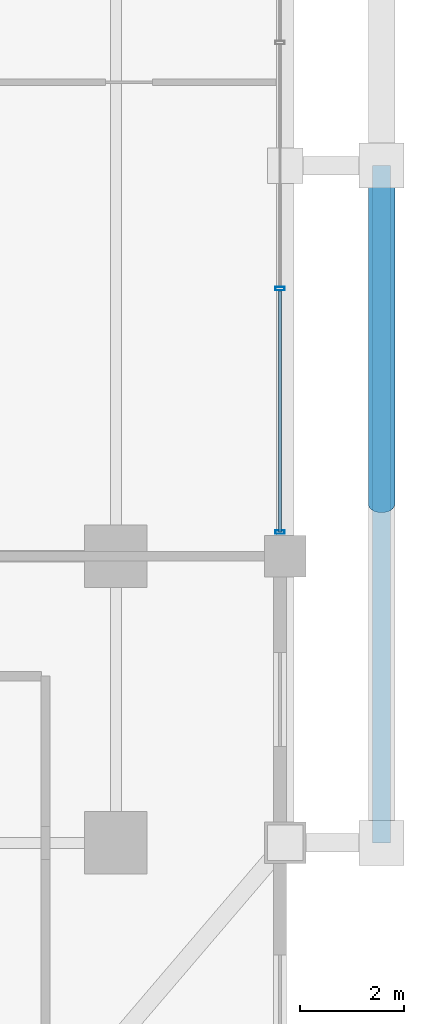
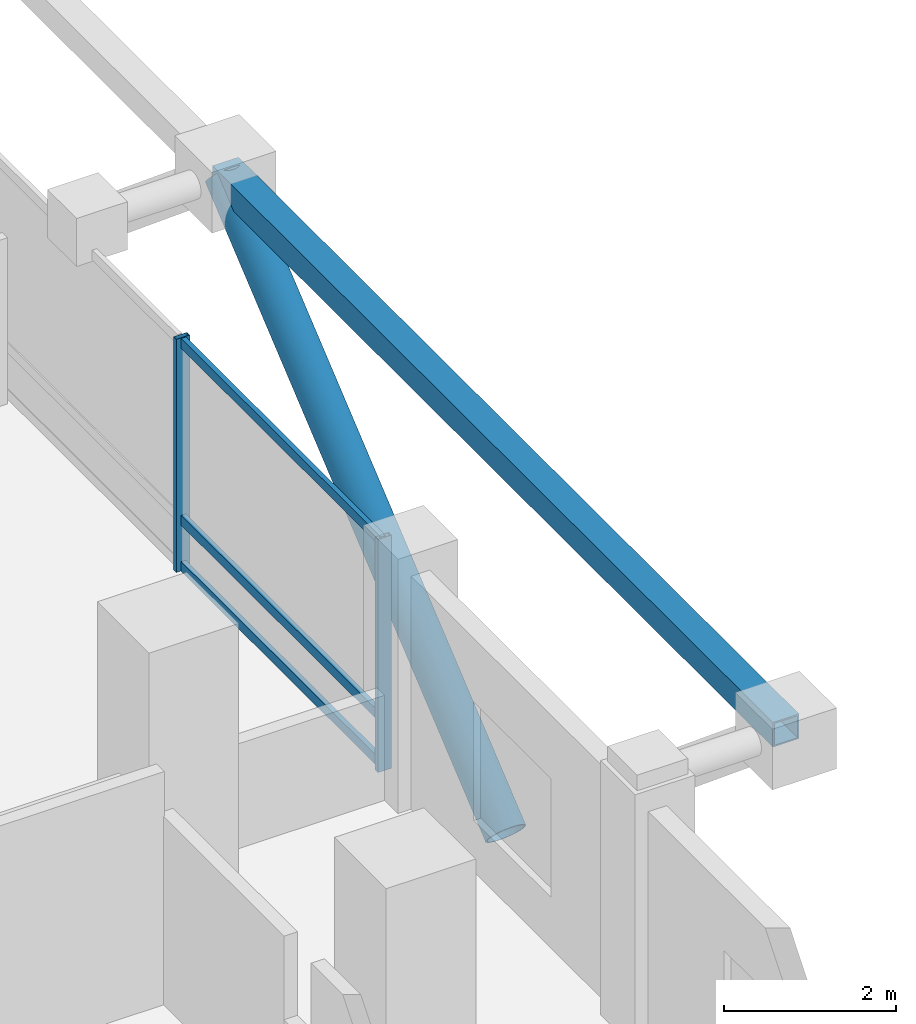
# One storey, part 9 of 25: 7 members, 1 element without a shape of its own.
"""IFC4 building model written with IfcOpenShell, lengths in metres."""

from ifc_helpers import new_model, si_unit, direction, frame, origin, origin_2d, place, context, subcontext, project, spatial, hollow_rectangle, hollow_circle, extrude, material, layer, layer_set, material_profile, profile_set, type_object, element, aggregate, save


model = new_model("IFC4")

# Units and contexts
model_context = context("Model", 3, precision=1e-05, world=origin(), true_north=direction((0.0, 1.0)))
body_context = subcontext(model_context, "Body", "Model", "MODEL_VIEW")
ifc_project = project(units=[si_unit("LENGTHUNIT", "METRE"), si_unit("AREAUNIT", "SQUARE_METRE"), si_unit("VOLUMEUNIT", "CUBIC_METRE"), si_unit("PLANEANGLEUNIT", "RADIAN"), si_unit("MASSUNIT", "GRAM", prefix="KILO")], contexts=[model_context])

# Site, building, storey
site_placement = place(None, origin())
site = spatial("IfcSite", under=ifc_project, at=site_placement, CompositionType="ELEMENT")
building_placement = place(site_placement, origin())
building = spatial("IfcBuilding", under=site, at=building_placement, Name="Barlavira Tower and Art Museum", CompositionType="ELEMENT")
storey_placement = place(building_placement, frame((0.0, 0.0, 162.0)))
storey = spatial("IfcBuildingStorey", under=building, at=storey_placement, Name="L41", CompositionType="ELEMENT", Elevation=162.0)

# Curtain wall, members
ifc_material_1 = material(Name="Low-iron coastal laminated glass", Category="glass")
ifc_layer = layer(ifc_material_1, 0.18994140625, Name="Low-iron coastal laminated glass")
ifc_layer_set = layer_set([ifc_layer], Name="Low-iron coastal laminated glass")
curtain_wall_type = type_object("IfcCurtainWallType", Name="Pale-Metal Unitised Curtain Wall Zone 2", PredefinedType="NOTDEFINED", material=ifc_layer_set)
curtain_wall_placement = place(storey_placement, origin())
curtain_wall = element("IfcCurtainWall", 1, at=curtain_wall_placement, inside=storey, type_object=curtain_wall_type, Name="L41 Curtain Wall CW2-L41-E-B3", PredefinedType="NOTDEFINED")
ifc_material_2 = material(Name="Pale anodised aluminium", Category="aluminium")
ifc_material_profile_1 = material_profile(ifc_material_2, hollow_rectangle(XDim=0.06494140625, YDim=0.179931640625, WallThickness=0.00390625, at=origin_2d()), Name="ALU-MULL 65x180x4")
ifc_profile_set_1 = profile_set([ifc_material_profile_1], Name="Pale anodised aluminium")
member_type_1 = type_object("IfcMemberType", Name="Curtain Wall Pale-Metal Mullion 65x180", PredefinedType="MULLION", material=ifc_profile_set_1)
member_1_placement = place(storey_placement, frame((20.14990234375, -7.034912109375, 0.0), z_axis=(0.0, 0.0, 1.0), x_axis=(0.0, 1.0, 0.0)))
member_1 = element("IfcMember", 2, at=member_1_placement, type_object=member_type_1, Name="CW2-L41-E-B3 Mullion 0", PredefinedType="MULLION", context=body_context, shape_type="SweptSolid", body=[
    extrude(hollow_rectangle(XDim=0.06494140625, YDim=0.179931640625, WallThickness=0.00390625, at=origin_2d()), origin(), (0.0, 0.0, 1.0), 3.300048828125),
])
member_2_placement = place(storey_placement, frame((20.14990234375, -2.360107421875, 0.0), z_axis=(0.0, 0.0, 1.0), x_axis=(0.0, 1.0, 0.0)))
member_2 = element("IfcMember", 3, at=member_2_placement, type_object=member_type_1, Name="CW2-L41-E-B3 Mullion 1", PredefinedType="MULLION", context=body_context, shape_type="SweptSolid", body=[
    extrude(hollow_rectangle(XDim=0.06494140625, YDim=0.179931640625, WallThickness=0.00390625, at=origin_2d()), origin(), (0.0, 0.0, 1.0), 3.300048828125),
])
ifc_material_profile_2 = material_profile(ifc_material_2, hollow_rectangle(XDim=0.06494140625, YDim=0.139892578125, WallThickness=0.00390625, at=origin_2d()), Name="ALU-TRAN 65x140x4")
ifc_profile_set_2 = profile_set([ifc_material_profile_2], Name="Pale anodised aluminium")
member_type_2 = type_object("IfcMemberType", Name="Curtain Wall Pale-Metal Transom 65x140", PredefinedType="USERDEFINED", material=ifc_profile_set_2)
member_3_placement = place(storey_placement, frame((20.14990234375, -7.034912109375, 0.070068359375), z_axis=(0.0, 1.0, 0.0), x_axis=(-1.0, 0.0, 0.0)))
member_3 = element("IfcMember", 4, at=member_3_placement, type_object=member_type_2, Name="CW2-L41-E-B3 Transom 0.1", ObjectType="TRANSOM", PredefinedType="USERDEFINED", context=body_context, shape_type="SweptSolid", body=[
    extrude(hollow_rectangle(XDim=0.06494140625, YDim=0.139892578125, WallThickness=0.00390625, at=origin_2d()), origin(), (0.0, 0.0, 1.0), 4.6298828125),
])
member_4_placement = place(storey_placement, frame((20.14990234375, -7.034912109375, 0.72607421875), z_axis=(0.0, 1.0, 0.0), x_axis=(-1.0, 0.0, 0.0)))
member_4 = element("IfcMember", 5, at=member_4_placement, type_object=member_type_2, Name="CW2-L41-E-B3 Transom 0.2", ObjectType="TRANSOM", PredefinedType="USERDEFINED", context=body_context, shape_type="SweptSolid", body=[
    extrude(hollow_rectangle(XDim=0.06494140625, YDim=0.139892578125, WallThickness=0.00390625, at=origin_2d()), origin(), (0.0, 0.0, 1.0), 4.6298828125),
])
member_5_placement = place(storey_placement, frame((20.14990234375, -7.034912109375, 3.22998046875), z_axis=(0.0, 1.0, 0.0), x_axis=(-1.0, 0.0, 0.0)))
member_5 = element("IfcMember", 6, at=member_5_placement, type_object=member_type_2, Name="CW2-L41-E-B3 Transom 0.3", ObjectType="TRANSOM", PredefinedType="USERDEFINED", context=body_context, shape_type="SweptSolid", body=[
    extrude(hollow_rectangle(XDim=0.06494140625, YDim=0.139892578125, WallThickness=0.00390625, at=origin_2d()), origin(), (0.0, 0.0, 1.0), 4.6298828125),
])
aggregate(curtain_wall, [member_1, member_2, member_3, member_4, member_5])

# Members
ifc_material_3 = material(Name="Steel S355", Category="steel")
ifc_material_profile_3 = material_profile(ifc_material_3, hollow_circle(Radius=0.25390625, WallThickness=0.022216796875, at=origin_2d()), Name="CHS 508.0x22.2")
ifc_profile_set_3 = profile_set([ifc_material_profile_3], Name="Steel S355")
member_type_3 = type_object("IfcMemberType", Name="Pale-Metal Exoskeleton Diagrid Tube CHS 508x22 Steel S355", PredefinedType="BRACE", material=ifc_profile_set_3)
member_6_placement = place(storey_placement, frame((22.10009765625, -6.5, -1.919921875), z_axis=(0.0, 0.769196053329, 0.639012857104), x_axis=(-1.0, 0.0, 0.0)))
element("IfcMember", 7, at=member_6_placement, inside=storey, type_object=member_type_3, Name="L41 Exoskeleton Diagrid Tube E", PredefinedType="BRACE", context=body_context, shape_type="SweptSolid", body=[
    extrude(hollow_circle(Radius=0.25390625, WallThickness=0.022216796875, at=origin_2d()), origin(), (0.0, 0.0, 1.0), 8.450439453125),
])
ifc_material_profile_4 = material_profile(ifc_material_3, hollow_rectangle(XDim=0.35009765625, YDim=0.35009765625, WallThickness=0.02001953125, at=origin_2d()), Name="SHS 350x350x20.0")
ifc_profile_set_4 = profile_set([ifc_material_profile_4], Name="Steel S355")
member_type_4 = type_object("IfcMemberType", Name="Pale-Metal Exoskeleton Ring Strut SHS 350x350x20 Steel S355", PredefinedType="STRUT", material=ifc_profile_set_4)
member_7_placement = place(storey_placement, frame((22.10009765625, -13.0, 3.47998046875), z_axis=(0.0, 1.0, 0.0), x_axis=(-1.0, 0.0, 0.0)))
element("IfcMember", 8, at=member_7_placement, inside=storey, type_object=member_type_4, Name="L41 Exoskeleton Top Ring Strut E", PredefinedType="STRUT", context=body_context, shape_type="SweptSolid", body=[
    extrude(hollow_rectangle(XDim=0.35009765625, YDim=0.35009765625, WallThickness=0.02001953125, at=origin_2d()), origin(), (0.0, 0.0, 1.0), 13.0),
])

save(model, "model.ifc")
